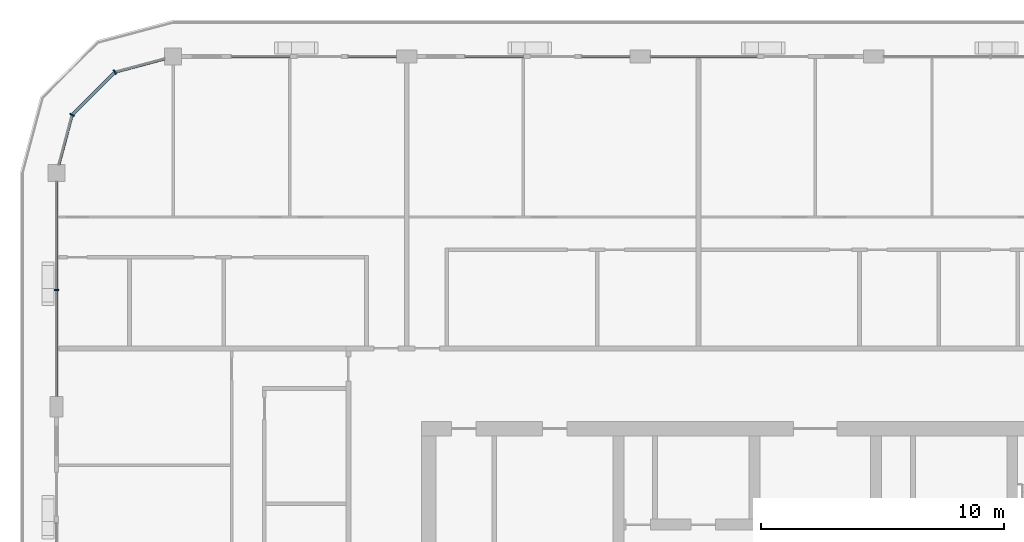
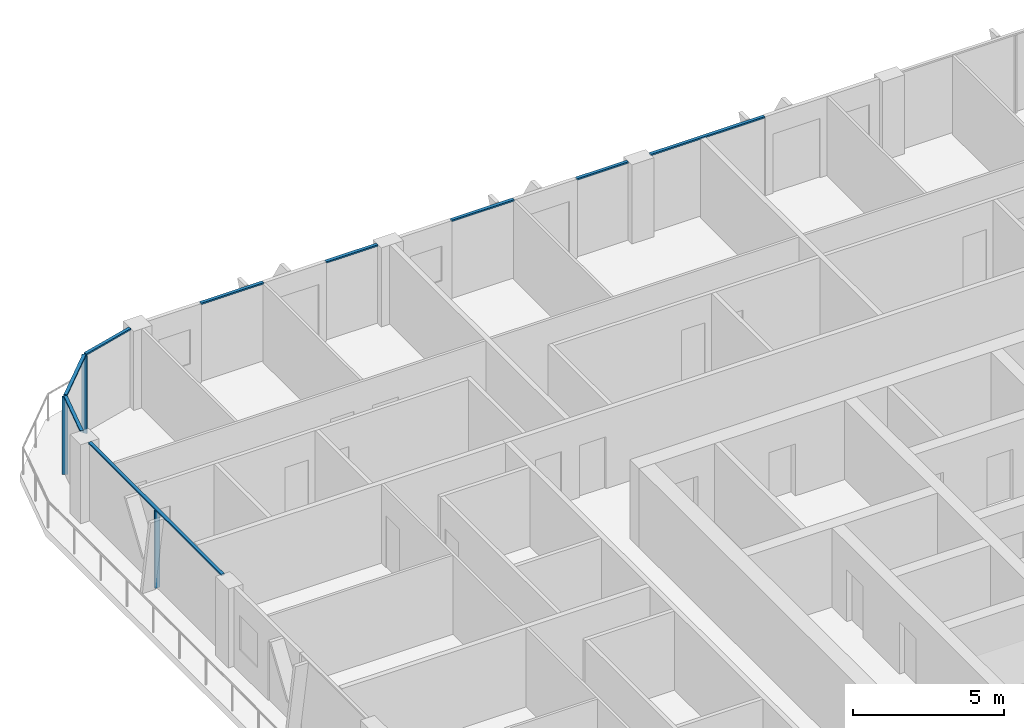
# One storey, part 5 of 21: 12 members, 5 elements without a shape of their own.
"""IFC4 building model written with IfcOpenShell, lengths in metres."""

from ifc_helpers import new_model, si_unit, direction, frame, origin, origin_2d, place, context, subcontext, project, spatial, rectangle, extrude, material, layer, layer_set, material_profile, profile_set, type_object, element, aggregate, save


model = new_model("IFC4")

# Units and contexts
model_context = context("Model", 3, precision=1e-05, world=origin(), true_north=direction((0.0, 1.0)))
body_context = subcontext(model_context, "Body", "Model", "MODEL_VIEW")
ifc_project = project(units=[si_unit("LENGTHUNIT", "METRE"), si_unit("AREAUNIT", "SQUARE_METRE"), si_unit("VOLUMEUNIT", "CUBIC_METRE"), si_unit("PLANEANGLEUNIT", "RADIAN"), si_unit("MASSUNIT", "GRAM", prefix="KILO")], contexts=[model_context])

# Site, building, storey
site_placement = place(None, origin())
site = spatial("IfcSite", under=ifc_project, at=site_placement, CompositionType="ELEMENT")
building_placement = place(site_placement, origin())
building = spatial("IfcBuilding", under=site, at=building_placement, Name="Madar Terraces", CompositionType="ELEMENT")
storey_placement = place(building_placement, frame((0.0, 0.0, 245.699951171875)))
storey = spatial("IfcBuildingStorey", under=building, at=storey_placement, Name="L64", CompositionType="ELEMENT", Elevation=245.699951171875)

# Curtain wall, member
ifc_material_1 = material(Name="Glass, ceramic frit dark grey, with black aluminium frame", Category="aluminium")
ifc_layer = layer(ifc_material_1, 0.199951171875)
ifc_layer_set = layer_set([ifc_layer], Name="Facade curtain wall, fritted glass")
curtain_wall_type = type_object("IfcCurtainWallType", Name="Facade curtain wall, fritted glass", PredefinedType="NOTDEFINED", material=ifc_layer_set)
curtain_wall_1_placement = place(storey_placement, origin())
curtain_wall_1 = element("IfcCurtainWall", 1, at=curtain_wall_1_placement, inside=storey, type_object=curtain_wall_type, Name="Outer skin curtain wall west bay 1", PredefinedType="NOTDEFINED")
ifc_material_2 = material(Name="Aluminium, black anodised", Category="aluminium")
ifc_material_profile_1 = material_profile(ifc_material_2, rectangle(XDim=0.199951171875, YDim=0.06005859375, at=origin_2d()), Name="Facade mullion 60x200")
ifc_profile_set_1 = profile_set([ifc_material_profile_1], Name="Aluminium, black anodised")
member_type_1 = type_object("IfcMemberType", Name="Facade mullion 60x200", PredefinedType="MULLION", material=ifc_profile_set_1)
member_1_placement = place(storey_placement, frame((0.0, 43.199951171875, 0.0), z_axis=(0.0, 0.0, 1.0), x_axis=(1.0, 0.0, 0.0)))
member_1 = element("IfcMember", 2, at=member_1_placement, type_object=member_type_1, Name="Mullion 1", PredefinedType="MULLION", context=body_context, shape_type="SweptSolid", body=[
    extrude(rectangle(XDim=0.199951171875, YDim=0.06005859375, at=origin_2d()), origin(), (0.0, 0.0, 1.0), 3.14013671875),
])

# Curtain wall, members
curtain_wall_2_placement = place(storey_placement, origin())
curtain_wall_2 = element("IfcCurtainWall", 3, at=curtain_wall_2_placement, inside=storey, type_object=curtain_wall_type, Name="Outer skin curtain wall north-west corner", PredefinedType="NOTDEFINED")
member_2_placement = place(storey_placement, frame((2.39990234375, 52.156982421875, 0.0), z_axis=(0.0, 0.0, 1.0), x_axis=(0.499999989586, -0.866025409797, 0.0)))
member_2 = element("IfcMember", 4, at=member_2_placement, type_object=member_type_1, Name="Mullion 1", PredefinedType="MULLION", context=body_context, shape_type="SweptSolid", body=[
    extrude(rectangle(XDim=0.199951171875, YDim=0.06005859375, at=origin_2d()), origin(), (0.0, 0.0, 1.0), 3.14013671875),
])
member_3_placement = place(storey_placement, frame((0.64306640625, 50.39990234375, 0.0), z_axis=(0.0, 0.0, 1.0), x_axis=(0.866025409797, -0.499999989586, 0.0)))
member_3 = element("IfcMember", 5, at=member_3_placement, type_object=member_type_1, Name="Mullion 2", PredefinedType="MULLION", context=body_context, shape_type="SweptSolid", body=[
    extrude(rectangle(XDim=0.199951171875, YDim=0.06005859375, at=origin_2d()), origin(), (0.0, 0.0, 1.0), 3.14013671875),
])

# Curtain wall, member
curtain_wall_3_placement = place(storey_placement, origin())
curtain_wall_3 = element("IfcCurtainWall", 6, at=curtain_wall_3_placement, inside=storey, type_object=curtain_wall_type, Name="Outer skin curtain wall north bay 3", PredefinedType="NOTDEFINED")
ifc_material_3 = material(Name="Aluminium, black anodised", Category="aluminium")
ifc_material_profile_2 = material_profile(ifc_material_3, rectangle(XDim=0.1201171875, YDim=0.06005859375, at=origin_2d()), Name="Facade transom 60x120")
ifc_profile_set_2 = profile_set([ifc_material_profile_2], Name="Aluminium, black anodised")
member_type_2 = type_object("IfcMemberType", Name="Facade transom 60x120", PredefinedType="USERDEFINED", material=ifc_profile_set_2)
member_4_placement = place(storey_placement, frame((28.800048828125, 52.800048828125, 3.170166015625), z_axis=(-1.0, 0.0, 0.0), x_axis=(0.0, -1.0, 0.0)))
member_4 = element("IfcMember", 7, at=member_4_placement, type_object=member_type_2, Name="Transom 1", ObjectType="TRANSOM", PredefinedType="USERDEFINED", context=body_context, shape_type="SweptSolid", body=[
    extrude(rectangle(XDim=0.1201171875, YDim=0.06005859375, at=origin_2d()), origin(), (0.0, 0.0, 1.0), 4.375),
])
aggregate(curtain_wall_3, [member_4])

# Curtain wall, members
curtain_wall_4_placement = place(storey_placement, origin())
curtain_wall_4 = element("IfcCurtainWall", 8, at=curtain_wall_4_placement, inside=storey, type_object=curtain_wall_type, Name="Outer skin curtain wall north bay 4", PredefinedType="NOTDEFINED")
member_5_placement = place(storey_placement, frame((23.574951171875, 52.800048828125, 3.170166015625), z_axis=(-1.0, 0.0, 0.0), x_axis=(0.0, -1.0, 0.0)))
member_5 = element("IfcMember", 9, at=member_5_placement, type_object=member_type_2, Name="Transom 1", ObjectType="TRANSOM", PredefinedType="USERDEFINED", context=body_context, shape_type="SweptSolid", body=[
    extrude(rectangle(XDim=0.1201171875, YDim=0.06005859375, at=origin_2d()), origin(), (0.0, 0.0, 1.0), 1.974853515625),
])
member_6_placement = place(storey_placement, frame((19.199951171875, 52.800048828125, 3.170166015625), z_axis=(-1.0, 0.0, 0.0), x_axis=(0.0, -1.0, 0.0)))
member_6 = element("IfcMember", 10, at=member_6_placement, type_object=member_type_2, Name="Transom 2", ObjectType="TRANSOM", PredefinedType="USERDEFINED", context=body_context, shape_type="SweptSolid", body=[
    extrude(rectangle(XDim=0.1201171875, YDim=0.06005859375, at=origin_2d()), origin(), (0.0, 0.0, 1.0), 2.39990234375),
])
aggregate(curtain_wall_4, [member_5, member_6])

curtain_wall_5_placement = place(storey_placement, origin())
curtain_wall_5 = element("IfcCurtainWall", 11, at=curtain_wall_5_placement, inside=storey, type_object=curtain_wall_type, Name="Outer skin curtain wall north bay 5", PredefinedType="NOTDEFINED")
member_7_placement = place(storey_placement, frame((13.97509765625, 52.800048828125, 3.170166015625), z_axis=(-1.0, 0.0, 0.0), x_axis=(0.0, -1.0, 0.0)))
member_7 = element("IfcMember", 12, at=member_7_placement, type_object=member_type_2, Name="Transom 1", ObjectType="TRANSOM", PredefinedType="USERDEFINED", context=body_context, shape_type="SweptSolid", body=[
    extrude(rectangle(XDim=0.1201171875, YDim=0.06005859375, at=origin_2d()), origin(), (0.0, 0.0, 1.0), 1.97509765625),
])
member_8_placement = place(storey_placement, frame((9.60009765625, 52.800048828125, 3.170166015625), z_axis=(-1.0, 0.0, 0.0), x_axis=(0.0, -1.0, 0.0)))
member_8 = element("IfcMember", 13, at=member_8_placement, type_object=member_type_2, Name="Transom 2", ObjectType="TRANSOM", PredefinedType="USERDEFINED", context=body_context, shape_type="SweptSolid", body=[
    extrude(rectangle(XDim=0.1201171875, YDim=0.06005859375, at=origin_2d()), origin(), (0.0, 0.0, 1.0), 2.400146484375),
])
aggregate(curtain_wall_5, [member_7, member_8])

# Member
member_9_placement = place(storey_placement, frame((0.0, 47.64990234375, 3.170166015625), z_axis=(0.0, -1.0, 0.0), x_axis=(1.0, 0.0, 0.0)))
member_9 = element("IfcMember", 14, at=member_9_placement, type_object=member_type_2, Name="Transom 1", ObjectType="TRANSOM", PredefinedType="USERDEFINED", context=body_context, shape_type="SweptSolid", body=[
    extrude(rectangle(XDim=0.1201171875, YDim=0.06005859375, at=origin_2d()), origin(), (0.0, 0.0, 1.0), 8.824951171875),
])

aggregate(curtain_wall_1, [member_1, member_9])

member_10_placement = place(storey_placement, frame((4.449951171875, 52.706298828125, 3.170166015625), z_axis=(-0.965928259589, -0.258809963731, 0.0), x_axis=(0.258809963731, -0.965928259589, 0.0)))
member_10 = element("IfcMember", 15, at=member_10_placement, type_object=member_type_2, Name="Transom 1", ObjectType="TRANSOM", PredefinedType="USERDEFINED", context=body_context, shape_type="SweptSolid", body=[
    extrude(rectangle(XDim=0.1201171875, YDim=0.06005859375, at=origin_2d()), origin(), (0.0, 0.0, 1.0), 2.09228515625),
])

member_11_placement = place(storey_placement, frame((2.37890625, 52.1357421875, 3.170166015625), z_axis=(-0.707106781187, -0.707106781187, 0.0), x_axis=(0.707106781187, -0.707106781187, 0.0)))
member_11 = element("IfcMember", 16, at=member_11_placement, type_object=member_type_2, Name="Transom 2", ObjectType="TRANSOM", PredefinedType="USERDEFINED", context=body_context, shape_type="SweptSolid", body=[
    extrude(rectangle(XDim=0.1201171875, YDim=0.06005859375, at=origin_2d()), origin(), (0.0, 0.0, 1.0), 2.4248046875),
])

member_12_placement = place(storey_placement, frame((0.63525390625, 50.37109375, 3.170166015625), z_axis=(-0.258809963731, -0.965928259589, 0.0), x_axis=(0.965928259589, -0.258809963731, 0.0)))
member_12 = element("IfcMember", 17, at=member_12_placement, type_object=member_type_2, Name="Transom 3", ObjectType="TRANSOM", PredefinedType="USERDEFINED", context=body_context, shape_type="SweptSolid", body=[
    extrude(rectangle(XDim=0.1201171875, YDim=0.06005859375, at=origin_2d()), origin(), (0.0, 0.0, 1.0), 2.09228515625),
])

aggregate(curtain_wall_2, [member_2, member_10, member_3, member_11, member_12])

save(model, "model.ifc")
